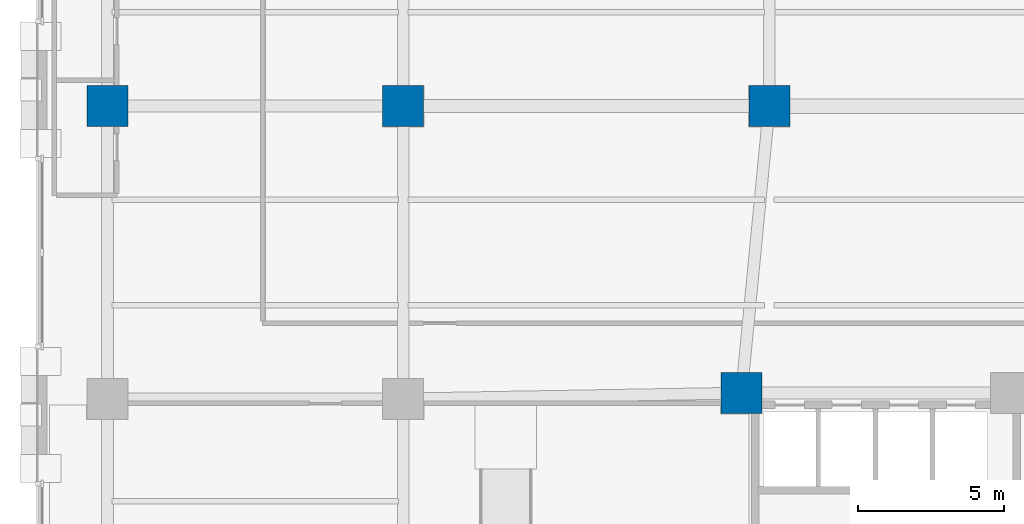
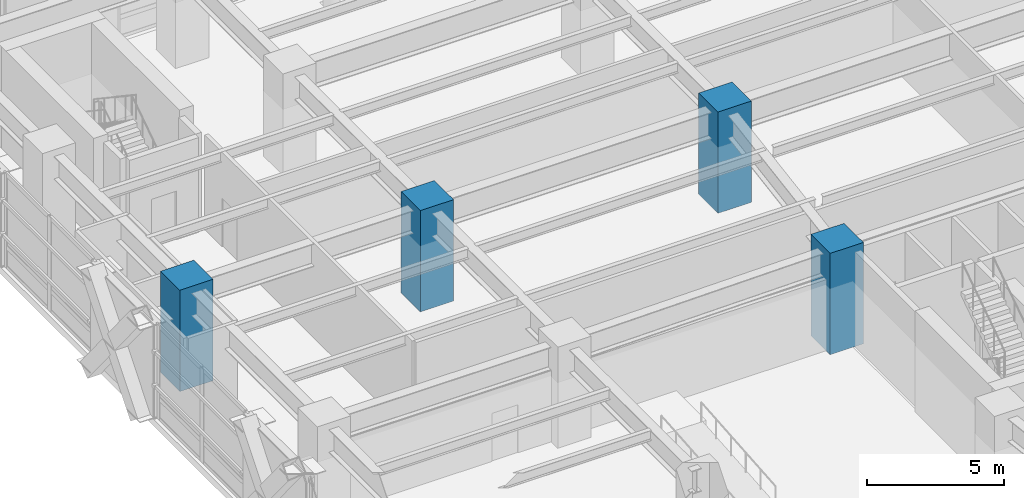
# One storey, part 2 of 30: 4 columns.
"""IFC4 building model written with IfcOpenShell, lengths in metres."""

import ifcopenshell
import ifcopenshell.guid

model = None  # the IFC model being written
_history = None  # IfcOwnerHistory: only IFC2X3 demands one
_inside = {}  # id of a spatial element -> (the spatial element, [elements in it])
_under = {}  # id of a project, library or spatial element -> (it, [spatial elements below it])
_declared = {}  # id of a project -> (the project, [libraries it declares])
_typed = {}  # id of a type object -> (the type object, [elements of that type])
_made_of = {}  # id of a material, layer set ... -> (it, [elements and type objects made of it])


def new_model(schema):
    """Start an empty IFC model of exactly this schema.

    Asked for "IFC4X3", IfcOpenShell would pick the latest addendum, in which some entities
    have other attributes; the version numbers below select the first issue.
    IFC2X3 requires an IfcOwnerHistory on every rooted entity: one is made here for all.
    """
    global model, _history
    if schema == "IFC4X3":
        model = ifcopenshell.file(schema_version=(4, 3, 0, 0))
    else:
        model = ifcopenshell.file(schema=schema)
    _inside.clear()
    _under.clear()
    _declared.clear()
    _typed.clear()
    _made_of.clear()
    _history = None
    if model.schema == "IFC2X3":
        org = make("IfcOrganization", Name="unknown")
        user = make(
            "IfcPersonAndOrganization",
            ThePerson=make("IfcPerson", FamilyName="unknown"),
            TheOrganization=org,
        )
        app = make(
            "IfcApplication",
            ApplicationDeveloper=org,
            Version="unknown",
            ApplicationFullName="unknown",
            ApplicationIdentifier="unknown",
        )
        _history = make(
            "IfcOwnerHistory",
            OwningUser=user,
            OwningApplication=app,
            ChangeAction="ADDED",
            CreationDate=0,
        )
    return model


def make(cls, **values):
    """One entity of the class cls with the attributes given. An attribute that is None is left unset."""
    return model.create_entity(
        cls, **{name: value for name, value in values.items() if value is not None}
    )


def rooted(cls, **values):
    """An entity with a GlobalId (a new one), such as an element, a storey or a relation."""
    return make(cls, GlobalId=ifcopenshell.guid.new(), OwnerHistory=_history, **values)


def si_unit(unit_type, name, prefix=None):
    """IfcSIUnit, for example si_unit("LENGTHUNIT", "METRE", prefix="MILLI")."""
    return make("IfcSIUnit", UnitType=unit_type, Prefix=prefix, Name=name)


def assignment(units):
    """IfcUnitAssignment: the units of a project."""
    return None if units is None else make("IfcUnitAssignment", Units=units)


def point(xyz):
    """IfcCartesianPoint."""
    return None if xyz is None else make("IfcCartesianPoint", Coordinates=xyz)


def direction(xyz):
    """IfcDirection."""
    return None if xyz is None else make("IfcDirection", DirectionRatios=xyz)


def frame(location, z_axis=None, x_axis=None):
    """IfcAxis2Placement3D, a coordinate frame: its origin and axes. An axis left out is left unset."""
    return make(
        "IfcAxis2Placement3D",
        Location=point(location),
        Axis=direction(z_axis),
        RefDirection=direction(x_axis),
    )


def frame_2d(location, x_axis=None):
    """IfcAxis2Placement2D, a coordinate frame in the plane: its origin and x axis."""
    return make(
        "IfcAxis2Placement2D", Location=point(location), RefDirection=direction(x_axis)
    )


def origin():
    """The frame at (0, 0, 0) with its axes left unset."""
    return frame((0.0, 0.0, 0.0))


def origin_2d():
    """The frame at (0, 0) in the plane with its x axis left unset."""
    return frame_2d((0.0, 0.0))


def place(relative_to, where):
    """IfcLocalPlacement: puts the frame where relative to a parent placement (None: the world)."""
    return make(
        "IfcLocalPlacement", PlacementRelTo=relative_to, RelativePlacement=where
    )


def context(
    kind, dimensions, precision=None, world=None, true_north=None, identifier=None
):
    """IfcGeometricRepresentationContext, for example the 3D "Model" context."""
    return make(
        "IfcGeometricRepresentationContext",
        ContextIdentifier=identifier,
        ContextType=kind,
        CoordinateSpaceDimension=dimensions,
        Precision=precision,
        WorldCoordinateSystem=world,
        TrueNorth=true_north,
    )


def subcontext(parent, identifier, kind, view, scale=None):
    """IfcGeometricRepresentationSubContext, for example "Body" below "Model"."""
    return make(
        "IfcGeometricRepresentationSubContext",
        ContextIdentifier=identifier,
        ContextType=kind,
        ParentContext=parent,
        TargetScale=scale,
        TargetView=view,
    )


def project(units=None, contexts=None):
    """IfcProject with its units and contexts."""
    return rooted(
        "IfcProject",
        Name="project",
        RepresentationContexts=contexts,
        UnitsInContext=assignment(units),
    )


def spatial(cls, under=None, at=None, **own):
    """A site, building, storey or space (cls), placed at a placement, below another one or the project."""
    s = rooted(cls, ObjectPlacement=at, **own)
    if under is not None:
        _under.setdefault(under.id(), (under, []))[1].append(s)
    return s


def profile(cls, at=None, kind="AREA", **sizes):
    """A parametric profile (cls). Its sizes go by their IFC names, for example OverallWidth=200.0."""
    return make(cls, ProfileType=kind, Position=at, **sizes)


def rectangle(**sizes):
    """IfcRectangleProfileDef."""
    return profile("IfcRectangleProfileDef", **sizes)


def extrude(swept, where, along, depth):
    """IfcExtrudedAreaSolid: the profile swept, set in the frame where, extruded along a direction by depth."""
    return make(
        "IfcExtrudedAreaSolid",
        SweptArea=swept,
        Position=where,
        ExtrudedDirection=direction(along),
        Depth=depth,
    )


def shape(context_of_items, identifier, shape_type, items):
    """IfcShapeRepresentation: the items that make up one representation, for example the "Body"."""
    return make(
        "IfcShapeRepresentation",
        ContextOfItems=context_of_items,
        RepresentationIdentifier=identifier,
        RepresentationType=shape_type,
        Items=items,
    )


def material(Name=None, Category=None):
    """IfcMaterial."""
    return make("IfcMaterial", Name=Name, Category=Category)


def material_profile(
    of_material, cross_section, Name=None, Category=None, Priority=None
):
    """IfcMaterialProfile: a cross section and its material."""
    return make(
        "IfcMaterialProfile",
        Name=Name,
        Material=of_material,
        Profile=cross_section,
        Priority=Priority,
        Category=Category,
    )


def profile_set(profiles, Name=None, composite=None):
    """IfcMaterialProfileSet."""
    return make(
        "IfcMaterialProfileSet",
        Name=Name,
        MaterialProfiles=profiles,
        CompositeProfile=composite,
    )


def made_of(thing, what):
    """Note that an element or type object is made of a material, layer set ...; save() writes the relation."""
    if what is not None:
        _made_of.setdefault(what.id(), (what, []))[1].append(thing)
    return thing


def type_object(cls, material=None, **own):
    """A type object (cls), such as IfcWallType, which elements share."""
    return made_of(rooted(cls, **own), material)


def element(
    cls,
    number,
    at=None,
    inside=None,
    cuts=None,
    type_object=None,
    material=None,
    context=None,
    identifier="Body",
    shape_type=None,
    held_by="IfcProductDefinitionShape",
    body=None,
    shapes=None,
    **own,
):
    """One element of the class cls, such as IfcWall. Its Tag is "e" and its number.

    at: its placement. inside: the storey or other place that contains it. cuts: it is an
    opening in that element (IfcRelVoidsElement). A single representation is given by context,
    identifier, shape_type and body (its items); several are given by shapes. held_by: the class
    of the entity that holds the representations. save() writes the other relations.
    """
    e = rooted(cls, Tag="e%d" % number, ObjectPlacement=at, **own)
    if body is not None:
        shapes = [shape(context, identifier, shape_type, body)]
    if shapes is not None:
        e.Representation = make(held_by, Representations=shapes)
    if inside is not None:
        _inside.setdefault(inside.id(), (inside, []))[1].append(e)
    if cuts is not None:
        rooted(
            "IfcRelVoidsElement", RelatingBuildingElement=cuts, RelatedOpeningElement=e
        )
    if type_object is not None:
        _typed.setdefault(type_object.id(), (type_object, []))[1].append(e)
    return made_of(e, material)


def aggregate(whole, parts):
    """IfcRelAggregates: a whole, such as a stair, and the parts it consists of."""
    return rooted("IfcRelAggregates", RelatingObject=whole, RelatedObjects=parts)


def save(model, path):
    """Write the relations noted so far, then the file.

    IfcRelAggregates (storeys below a building ...), IfcRelContainedInSpatialStructure (elements
    in a storey), IfcRelDefinesByType, IfcRelAssociatesMaterial and IfcRelDeclares: one each for
    every whole, place, type object, material and project.
    """
    for whole, parts in _under.values():
        aggregate(whole, parts)
    for where, things in _inside.values():
        rooted(
            "IfcRelContainedInSpatialStructure",
            RelatedElements=things,
            RelatingStructure=where,
        )
    for kind, things in _typed.values():
        rooted("IfcRelDefinesByType", RelatedObjects=things, RelatingType=kind)
    for what, things in _made_of.values():
        rooted("IfcRelAssociatesMaterial", RelatedObjects=things, RelatingMaterial=what)
    for by, libraries in _declared.values():
        rooted("IfcRelDeclares", RelatingContext=by, RelatedDefinitions=libraries)
    model.write(path)


model = new_model("IFC4")

# Units and contexts
model_context = context("Model", 3, precision=1e-05, world=origin(), true_north=direction((0.0, 1.0)))
body_context = subcontext(model_context, "Body", "Model", "MODEL_VIEW")
ifc_project = project(units=[si_unit("LENGTHUNIT", "METRE"), si_unit("AREAUNIT", "SQUARE_METRE"), si_unit("VOLUMEUNIT", "CUBIC_METRE"), si_unit("PLANEANGLEUNIT", "RADIAN"), si_unit("MASSUNIT", "GRAM", prefix="KILO")], contexts=[model_context])

# Site, building, storey
site_placement = place(None, origin())
site = spatial("IfcSite", under=ifc_project, at=site_placement, CompositionType="ELEMENT")
building_placement = place(site_placement, origin())
building = spatial("IfcBuilding", under=site, at=building_placement, Name="Quenlor Broadcast Tower", CompositionType="ELEMENT")
storey_placement = place(building_placement, frame((0.0, 0.0, 9.5)))
storey = spatial("IfcBuildingStorey", under=building, at=storey_placement, Name="L02", CompositionType="ELEMENT", Elevation=9.5)

# Columns
ifc_material_1 = material(Name="Concrete C65/80", Category="concrete")
ifc_material_profile_1 = material_profile(ifc_material_1, rectangle(XDim=1.39990234375, YDim=1.39990234375, at=origin_2d()))
ifc_profile_set_1 = profile_set([ifc_material_profile_1], Name="Concrete C65/80 RC1400x1400")
column_type_1 = type_object("IfcColumnType", Name="Core Corner Column Lower Concrete C65/80 1400", PredefinedType="COLUMN", material=ifc_profile_set_1)
column_placement = place(storey_placement, frame((-12.949951171875, -4.800048828125, 0.0), z_axis=(0.0, 0.0, 1.0), x_axis=(1.0, 0.0, 0.0)))
element("IfcColumn", 1, at=column_placement, inside=storey, type_object=column_type_1, Name="L02 Core Column CC7", PredefinedType="COLUMN", context=body_context, shape_type="SweptSolid", body=[
    extrude(rectangle(XDim=1.39990234375, YDim=1.39990234375, at=origin_2d()), origin(), (0.0, 0.0, 1.0), 4.5),
])
ifc_material_2 = material(Name="Concrete C65/80", Category="concrete")
ifc_material_profile_2 = material_profile(ifc_material_2, rectangle(XDim=1.39990234375, YDim=1.39990234375, at=origin_2d()))
ifc_profile_set_2 = profile_set([ifc_material_profile_2], Name="Concrete C65/80 RC1400x1400")
column_type_2 = type_object("IfcColumnType", Name="Podium Mega Column Concrete C65/80 1400", PredefinedType="COLUMN", material=ifc_profile_set_2)
for number, where, z_axis, x_axis, name in (
    (2, (-34.60009765625, 5.0, 0.0), (0.0, 0.0, 1.0), (1.0, 0.0, 0.0), "L02 Podium Mega Column PM15"),
    (3, (-24.5, 5.0, 0.0), (0.0, 0.0, 1.0), (1.0, 0.0, 0.0), "L02 Podium Mega Column PM16"),
    (4, (-12.0, 5.0, 0.0), (0.0, 0.0, 1.0), (1.0, 0.0, 0.0), "L02 Podium Mega Column PM17"),
):
    element("IfcColumn", number, at=place(storey_placement, frame(where, z_axis=z_axis, x_axis=x_axis)), inside=storey, type_object=column_type_2, Name=name, PredefinedType="COLUMN", context=body_context, shape_type="SweptSolid", body=[
        extrude(rectangle(XDim=1.39990234375, YDim=1.39990234375, at=origin_2d()), origin(), (0.0, 0.0, 1.0), 4.5),
    ])

save(model, "model.ifc")
